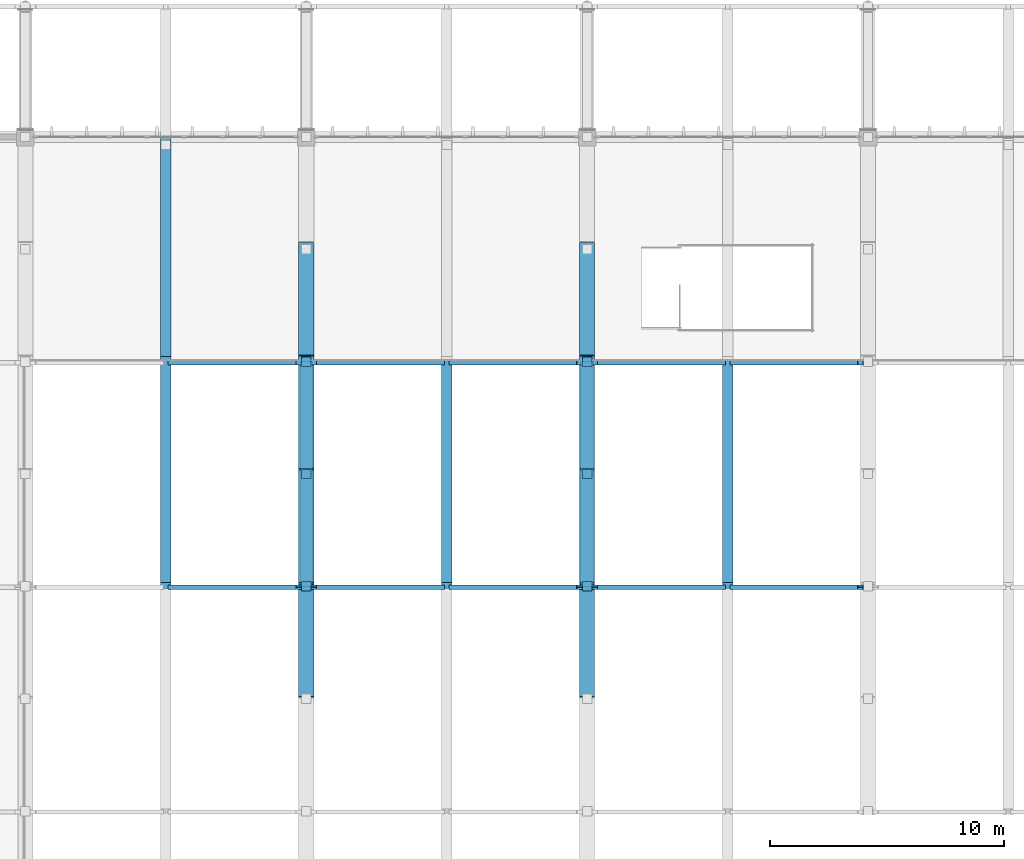
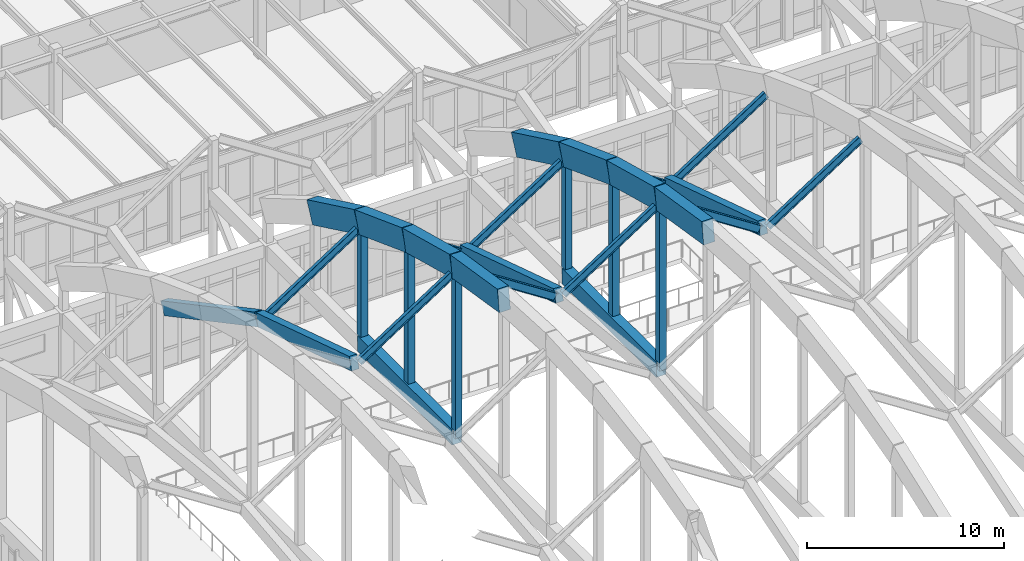
# One storey, part 76 of 236: 16 beams, 14 members.
"""IFC4 building model written with IfcOpenShell, lengths in metres."""

from ifc_helpers import new_model, si_unit, direction, frame, origin, origin_2d, place, context, subcontext, project, spatial, rectangle, i_section, extrude, material, material_profile, profile_set, type_object, element, save


model = new_model("IFC4")

# Units and contexts
model_context = context("Model", 3, precision=1e-05, world=origin(), true_north=direction((0.0, 1.0)))
body_context = subcontext(model_context, "Body", "Model", "MODEL_VIEW")
ifc_project = project(units=[si_unit("LENGTHUNIT", "METRE"), si_unit("AREAUNIT", "SQUARE_METRE"), si_unit("VOLUMEUNIT", "CUBIC_METRE"), si_unit("PLANEANGLEUNIT", "RADIAN"), si_unit("MASSUNIT", "GRAM", prefix="KILO")], contexts=[model_context])

# Site, building, storey
site_placement = place(None, origin())
site = spatial("IfcSite", under=ifc_project, at=site_placement, CompositionType="ELEMENT")
building_placement = place(site_placement, origin())
building = spatial("IfcBuilding", under=site, at=building_placement, Name="Pandanus Reach Market Hall", CompositionType="ELEMENT")
storey_placement = place(building_placement, frame((0.0, 0.0, 5.39990234375)))
storey = spatial("IfcBuildingStorey", under=building, at=storey_placement, Name="L01", CompositionType="ELEMENT", Elevation=5.39990234375)

# Members
ifc_material_1 = material(Name="Concrete N50 (50 MPa)", Category="concrete")
ifc_material_profile_1 = material_profile(ifc_material_1, rectangle(XDim=0.64990234375, YDim=1.35009765625, at=origin_2d()), Name="RC650x1350", Category="LoadBearing")
ifc_profile_set_1 = profile_set([ifc_material_profile_1], Name="Concrete N50 (50 MPa)")
member_type_1 = type_object("IfcMemberType", Name="AR-RC650-E", PredefinedType="CHORD", material=ifc_profile_set_1)
member_1_placement = place(storey_placement, frame((72.0, 62.39990234375, 16.724609375), z_axis=(0.0, 0.987485724156, -0.15770841635), x_axis=(-1.0, 0.0, 0.0)))
element("IfcMember", 1, at=member_1_placement, inside=storey, type_object=member_type_1, Name="Parabolic arch top chord A3.8", PredefinedType="CHORD", context=body_context, shape_type="SweptSolid", body=[
    extrude(rectangle(XDim=0.64990234375, YDim=1.35009765625, at=origin_2d()), origin(), (0.0, 0.0, 1.0), 4.86083984375),
])
member_2_placement = place(storey_placement, frame((72.0, 67.199951171875, 15.9580078125), z_axis=(0.0, 0.966344166189, -0.257252701584), x_axis=(-1.0, 0.0, 0.0)))
element("IfcMember", 2, at=member_2_placement, inside=storey, type_object=member_type_1, Name="Parabolic arch top chord A3.9", PredefinedType="CHORD", context=body_context, shape_type="SweptSolid", body=[
    extrude(rectangle(XDim=0.64990234375, YDim=1.35009765625, at=origin_2d()), origin(), (0.0, 0.0, 1.0), 4.96728515625),
])
member_3_placement = place(storey_placement, frame((72.0, 72.0, 14.68017578125), z_axis=(0.0, 0.937030438748, -0.349247701294), x_axis=(-1.0, 0.0, 0.0)))
element("IfcMember", 3, at=member_3_placement, inside=storey, type_object=member_type_1, Name="Parabolic arch top chord A3.10", PredefinedType="CHORD", context=body_context, shape_type="SweptSolid", body=[
    extrude(rectangle(XDim=0.64990234375, YDim=1.35009765625, at=origin_2d()), origin(), (0.0, 0.0, 1.0), 5.12255859375),
])
member_4_placement = place(storey_placement, frame((72.0, 76.800048828125, 12.89111328125), z_axis=(0.0, 0.901832040997, -0.432086761924), x_axis=(-1.0, 0.0, 0.0)))
element("IfcMember", 4, at=member_4_placement, inside=storey, type_object=member_type_1, Name="Parabolic arch top chord A3.11", PredefinedType="CHORD", context=body_context, shape_type="SweptSolid", body=[
    extrude(rectangle(XDim=0.64990234375, YDim=1.35009765625, at=origin_2d()), origin(), (0.0, 0.0, 1.0), 5.322509765625),
])
member_5_placement = place(storey_placement, frame((84.0, 62.39990234375, 16.724609375), z_axis=(0.0, 0.987485724156, -0.15770841635), x_axis=(-1.0, 0.0, 0.0)))
element("IfcMember", 5, at=member_5_placement, inside=storey, type_object=member_type_1, Name="Parabolic arch top chord A4.8", PredefinedType="CHORD", context=body_context, shape_type="SweptSolid", body=[
    extrude(rectangle(XDim=0.64990234375, YDim=1.35009765625, at=origin_2d()), origin(), (0.0, 0.0, 1.0), 4.86083984375),
])
member_6_placement = place(storey_placement, frame((84.0, 67.199951171875, 15.9580078125), z_axis=(0.0, 0.966344166189, -0.257252701584), x_axis=(-1.0, 0.0, 0.0)))
element("IfcMember", 6, at=member_6_placement, inside=storey, type_object=member_type_1, Name="Parabolic arch top chord A4.9", PredefinedType="CHORD", context=body_context, shape_type="SweptSolid", body=[
    extrude(rectangle(XDim=0.64990234375, YDim=1.35009765625, at=origin_2d()), origin(), (0.0, 0.0, 1.0), 4.96728515625),
])
member_7_placement = place(storey_placement, frame((84.0, 72.0, 14.68017578125), z_axis=(0.0, 0.937030438748, -0.349247701294), x_axis=(-1.0, 0.0, 0.0)))
element("IfcMember", 7, at=member_7_placement, inside=storey, type_object=member_type_1, Name="Parabolic arch top chord A4.10", PredefinedType="CHORD", context=body_context, shape_type="SweptSolid", body=[
    extrude(rectangle(XDim=0.64990234375, YDim=1.35009765625, at=origin_2d()), origin(), (0.0, 0.0, 1.0), 5.12255859375),
])
member_8_placement = place(storey_placement, frame((84.0, 76.800048828125, 12.89111328125), z_axis=(0.0, 0.901832040997, -0.432086761924), x_axis=(-1.0, 0.0, 0.0)))
element("IfcMember", 8, at=member_8_placement, inside=storey, type_object=member_type_1, Name="Parabolic arch top chord A4.11", PredefinedType="CHORD", context=body_context, shape_type="SweptSolid", body=[
    extrude(rectangle(XDim=0.64990234375, YDim=1.35009765625, at=origin_2d()), origin(), (0.0, 0.0, 1.0), 5.322509765625),
])
ifc_material_profile_2 = material_profile(ifc_material_1, rectangle(XDim=0.39990234375, YDim=0.39990234375, at=origin_2d()), Name="RC400x400", Category="LoadBearing")
ifc_profile_set_2 = profile_set([ifc_material_profile_2], Name="Concrete N50 (50 MPa)")
member_type_2 = type_object("IfcMemberType", Name="AR-WEB400-E", PredefinedType="STRUT", material=ifc_profile_set_2)
member_9_placement = place(storey_placement, frame((72.0, 67.199951171875, 5.3251953125), z_axis=(0.0, 0.0, 1.0), x_axis=(1.0, 0.0, 0.0)))
element("IfcMember", 9, at=member_9_placement, inside=storey, type_object=member_type_2, Name="Arch truss vertical web strut A3.8", PredefinedType="STRUT", context=body_context, shape_type="SweptSolid", body=[
    extrude(rectangle(XDim=0.39990234375, YDim=0.39990234375, at=origin_2d()), origin(), (0.0, 0.0, 1.0), 10.6328125),
])
member_10_placement = place(storey_placement, frame((72.0, 72.0, 5.3251953125), z_axis=(0.0, 0.0, 1.0), x_axis=(1.0, 0.0, 0.0)))
element("IfcMember", 10, at=member_10_placement, inside=storey, type_object=member_type_2, Name="Arch truss vertical web strut A3.9", PredefinedType="STRUT", context=body_context, shape_type="SweptSolid", body=[
    extrude(rectangle(XDim=0.39990234375, YDim=0.39990234375, at=origin_2d()), origin(), (0.0, 0.0, 1.0), 9.35498046875),
])
member_11_placement = place(storey_placement, frame((72.0, 76.800048828125, 5.3251953125), z_axis=(0.0, 0.0, 1.0), x_axis=(1.0, 0.0, 0.0)))
element("IfcMember", 11, at=member_11_placement, inside=storey, type_object=member_type_2, Name="Arch truss vertical web strut A3.10", PredefinedType="STRUT", context=body_context, shape_type="SweptSolid", body=[
    extrude(rectangle(XDim=0.39990234375, YDim=0.39990234375, at=origin_2d()), origin(), (0.0, 0.0, 1.0), 7.56591796875),
])
member_12_placement = place(storey_placement, frame((84.0, 67.199951171875, 5.3251953125), z_axis=(0.0, 0.0, 1.0), x_axis=(1.0, 0.0, 0.0)))
element("IfcMember", 12, at=member_12_placement, inside=storey, type_object=member_type_2, Name="Arch truss vertical web strut A4.8", PredefinedType="STRUT", context=body_context, shape_type="SweptSolid", body=[
    extrude(rectangle(XDim=0.39990234375, YDim=0.39990234375, at=origin_2d()), origin(), (0.0, 0.0, 1.0), 10.6328125),
])
member_13_placement = place(storey_placement, frame((84.0, 72.0, 5.3251953125), z_axis=(0.0, 0.0, 1.0), x_axis=(1.0, 0.0, 0.0)))
element("IfcMember", 13, at=member_13_placement, inside=storey, type_object=member_type_2, Name="Arch truss vertical web strut A4.9", PredefinedType="STRUT", context=body_context, shape_type="SweptSolid", body=[
    extrude(rectangle(XDim=0.39990234375, YDim=0.39990234375, at=origin_2d()), origin(), (0.0, 0.0, 1.0), 9.35498046875),
])
member_14_placement = place(storey_placement, frame((84.0, 76.800048828125, 5.3251953125), z_axis=(0.0, 0.0, 1.0), x_axis=(1.0, 0.0, 0.0)))
element("IfcMember", 14, at=member_14_placement, inside=storey, type_object=member_type_2, Name="Arch truss vertical web strut A4.10", PredefinedType="STRUT", context=body_context, shape_type="SweptSolid", body=[
    extrude(rectangle(XDim=0.39990234375, YDim=0.39990234375, at=origin_2d()), origin(), (0.0, 0.0, 1.0), 7.56591796875),
])

# Beams
ifc_material_2 = material(Name="Concrete N40 (40 MPa)", Category="concrete")
ifc_material_profile_3 = material_profile(ifc_material_2, rectangle(XDim=0.449951171875, YDim=0.800048828125, at=origin_2d()), Name="RC450x800", Category="LoadBearing")
ifc_profile_set_3 = profile_set([ifc_material_profile_3], Name="Concrete N40 (40 MPa)")
beam_type_1 = type_object("IfcBeamType", Name="BM-RC450-I", PredefinedType="BEAM", material=ifc_profile_set_3)
beam_1_placement = place(storey_placement, frame((66.0, 67.239990234375, 11.959228515625), z_axis=(0.0, 0.952580593406, -0.30428639974), x_axis=(-1.0, 0.0, 0.0)))
element("IfcBeam", 15, at=beam_1_placement, inside=storey, type_object=beam_type_1, Name="Butterfly valley beam B2.6", PredefinedType="BEAM", context=body_context, shape_type="SweptSolid", body=[
    extrude(rectangle(XDim=0.449951171875, YDim=0.800048828125, at=origin_2d()), origin(), (0.0, 0.0, 1.0), 9.993896484375),
])
beam_2_placement = place(storey_placement, frame((66.0, 76.840087890625, 8.88427734375), z_axis=(0.0, 0.882689208935, -0.469957189996), x_axis=(-1.0, 0.0, 0.0)))
element("IfcBeam", 16, at=beam_2_placement, inside=storey, type_object=beam_type_1, Name="Butterfly valley beam B2.7", PredefinedType="BEAM", context=body_context, shape_type="SweptSolid", body=[
    extrude(rectangle(XDim=0.449951171875, YDim=0.800048828125, at=origin_2d()), origin(), (0.0, 0.0, 1.0), 10.78515625),
])
for number, where, z_axis, x_axis, name in (
    (17, (78.0, 67.239990234375, 11.959228515625), (0.0, 0.952580593406, -0.30428639974), (-1.0, 0.0, 0.0), "Butterfly valley beam B3.6"),
    (18, (90.0, 67.239990234375, 11.959228515625), (0.0, 0.952580593406, -0.30428639974), (-1.0, 0.0, 0.0), "Butterfly valley beam B4.6"),
):
    element("IfcBeam", number, at=place(storey_placement, frame(where, z_axis=z_axis, x_axis=x_axis)), inside=storey, type_object=beam_type_1, Name=name, PredefinedType="BEAM", context=body_context, shape_type="SweptSolid", body=[
        extrude(rectangle(XDim=0.449951171875, YDim=0.800048828125, at=origin_2d()), origin(), (0.0, 0.0, 1.0), 9.993896484375),
    ])
ifc_material_profile_4 = material_profile(ifc_material_1, rectangle(XDim=0.550048828125, YDim=0.949951171875, at=origin_2d()), Name="RC550x950", Category="LoadBearing")
ifc_profile_set_4 = profile_set([ifc_material_profile_4], Name="Concrete N50 (50 MPa)")
beam_type_2 = type_object("IfcBeamType", Name="BM-RC550-I", PredefinedType="BEAM", material=ifc_profile_set_4)
for number, where, z_axis, x_axis, name in (
    (19, (72.0, 67.199951171875, 5.3251953125), (0.0, 1.0, 0.0), (-1.0, 0.0, 0.0), "Parabolic arch tie girder A3.5"),
    (20, (84.0, 67.199951171875, 5.3251953125), (0.0, 1.0, 0.0), (-1.0, 0.0, 0.0), "Parabolic arch tie girder A4.5"),
):
    element("IfcBeam", number, at=place(storey_placement, frame(where, z_axis=z_axis, x_axis=x_axis)), inside=storey, type_object=beam_type_2, Name=name, PredefinedType="BEAM", context=body_context, shape_type="SweptSolid", body=[
        extrude(rectangle(XDim=0.550048828125, YDim=0.949951171875, at=origin_2d()), origin(), (0.0, 0.0, 1.0), 9.60009765625),
    ])
ifc_material_3 = material(Name="Steel Grade 350 (350 MPa)", Category="steel")
ifc_material_profile_5 = material_profile(ifc_material_3, i_section(OverallWidth=0.18994140625, OverallDepth=0.45703125, WebThickness=0.009033203125, FlangeThickness=0.014404296875, at=origin_2d()), Name="460UB74.6", Category="LoadBearing")
ifc_profile_set_5 = profile_set([ifc_material_profile_5], Name="Steel Grade 350 (350 MPa)")
beam_type_3 = type_object("IfcBeamType", Name="BM-UB460-I", PredefinedType="BEAM", material=ifc_profile_set_5)
for number, where, z_axis, x_axis, name in (
    (21, (66.219970703125, 67.159912109375, 11.976318359375), (0.839070527962, 0.0, 0.544022654956), (0.0, 1.0, 0.0), "Butterfly transverse rib B2.5R"),
    (22, (66.219970703125, 76.760009765625, 8.918212890625), (0.839070527962, 0.0, 0.544022654956), (0.0, 1.0, 0.0), "Butterfly transverse rib B2.6R"),
    (23, (72.320068359375, 67.159912109375, 15.516357421875), (0.839070527962, 0.0, -0.544022654956), (0.0, 1.0, 0.0), "Butterfly transverse rib B3.5L"),
    (24, (78.219970703125, 67.159912109375, 11.976318359375), (0.839070527962, 0.0, 0.544022654956), (0.0, 1.0, 0.0), "Butterfly transverse rib B3.5R"),
    (25, (72.320068359375, 76.760009765625, 12.458251953125), (0.839070527962, 0.0, -0.544022654956), (0.0, 1.0, 0.0), "Butterfly transverse rib B3.6L"),
    (26, (78.219970703125, 76.760009765625, 8.918212890625), (0.839070527962, 0.0, 0.544022654956), (0.0, 1.0, 0.0), "Butterfly transverse rib B3.6R"),
    (27, (84.320068359375, 67.159912109375, 15.516357421875), (0.839070527962, 0.0, -0.544022654956), (0.0, 1.0, 0.0), "Butterfly transverse rib B4.5L"),
    (28, (90.219970703125, 67.159912109375, 11.976318359375), (0.839070527962, 0.0, 0.544022654956), (0.0, 1.0, 0.0), "Butterfly transverse rib B4.5R"),
    (29, (84.320068359375, 76.760009765625, 12.458251953125), (0.839070527962, 0.0, -0.544022654956), (0.0, 1.0, 0.0), "Butterfly transverse rib B4.6L"),
    (30, (90.219970703125, 76.760009765625, 8.918212890625), (0.839070527962, 0.0, 0.544022654956), (0.0, 1.0, 0.0), "Butterfly transverse rib B4.6R"),
):
    element("IfcBeam", number, at=place(storey_placement, frame(where, z_axis=z_axis, x_axis=x_axis)), inside=storey, type_object=beam_type_3, Name=name, PredefinedType="BEAM", context=body_context, shape_type="SweptSolid", body=[
        extrude(i_section(OverallWidth=0.18994140625, OverallDepth=0.45703125, WebThickness=0.009033203125, FlangeThickness=0.014404296875, at=origin_2d()), origin(), (0.0, 0.0, 1.0), 6.507080078125),
    ])

save(model, "model.ifc")
